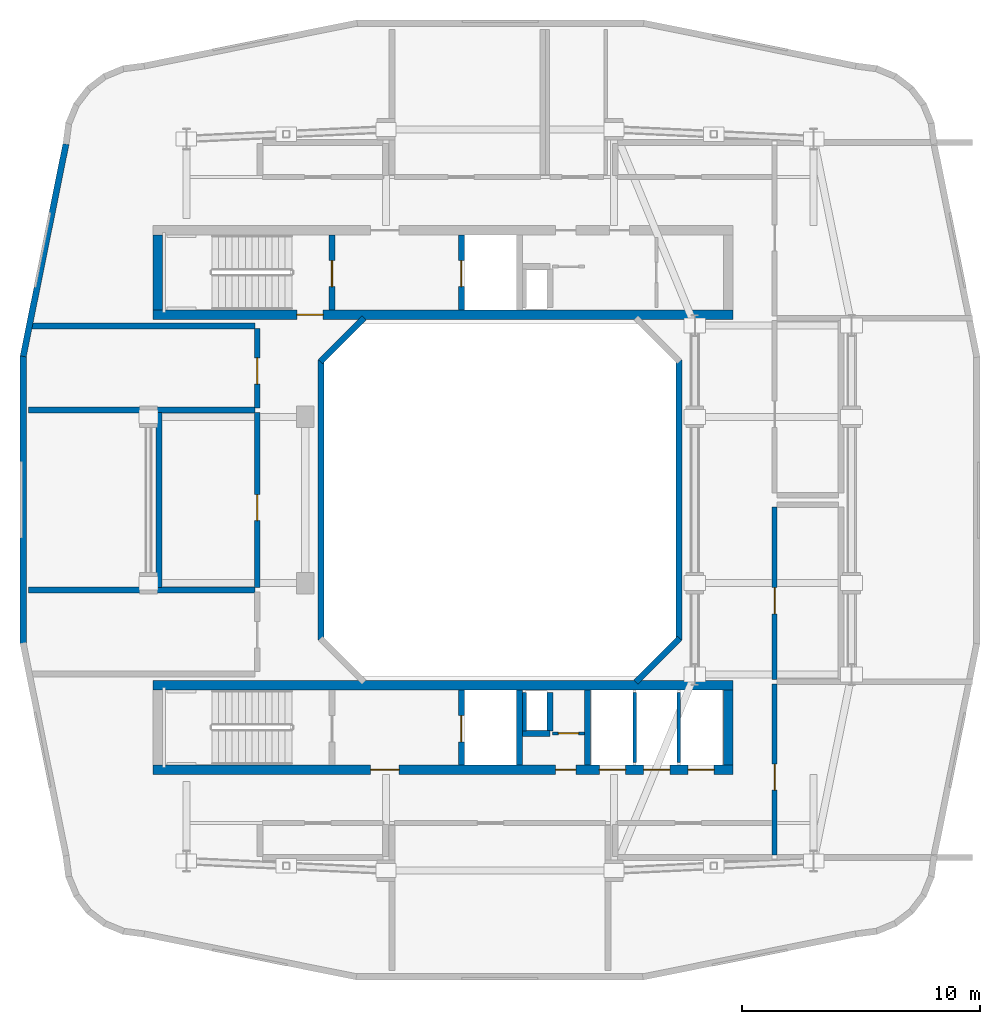
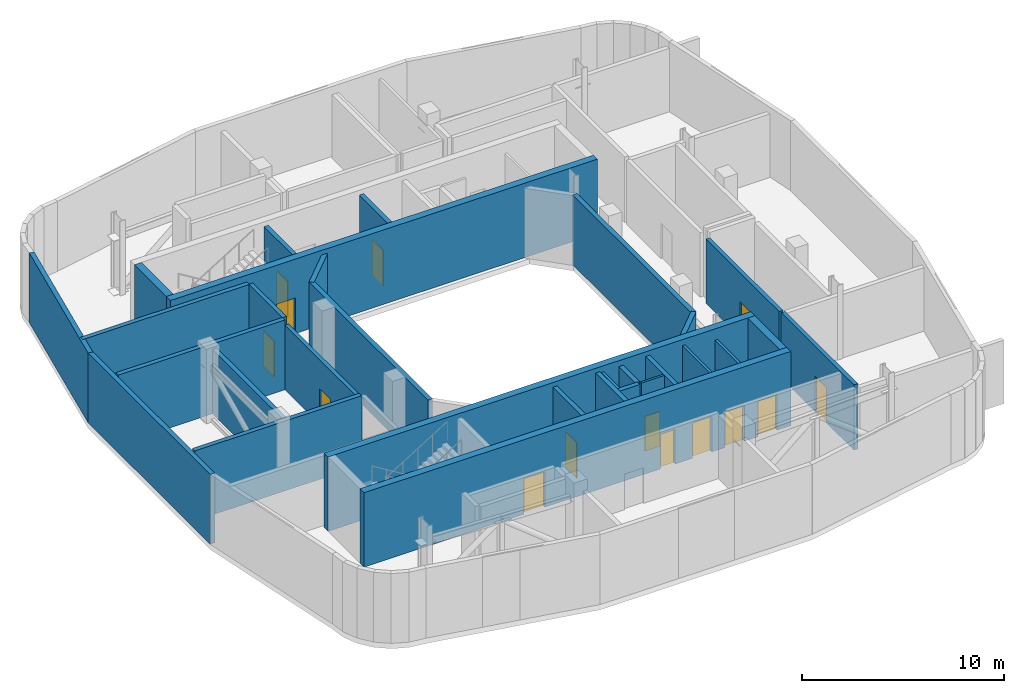
# One storey, part 4 of 9: 30 walls, 14 doors, 14 openings.
"""IFC4 building model written with IfcOpenShell, lengths in metres."""

from ifc_helpers import new_model, si_unit, derived_unit, direction, frame, frame_2d, origin, place, context, subcontext, project, spatial, rectangle, extrude, material, layer, layer_set, type_object, element, fill, save


model = new_model("IFC4")

# Units and contexts
model_context = context("Model", 3, precision=1e-05, world=origin(), true_north=direction((0.0, 1.0)))
body_context = subcontext(model_context, "Body", "Model", "MODEL_VIEW")
ifc_project = project(units=[si_unit("LENGTHUNIT", "METRE"), si_unit("AREAUNIT", "SQUARE_METRE"), si_unit("VOLUMEUNIT", "CUBIC_METRE"), si_unit("PLANEANGLEUNIT", "RADIAN"), si_unit("MASSUNIT", "GRAM", prefix="KILO"), derived_unit("THERMALTRANSMITTANCEUNIT", [(si_unit("POWERUNIT", "WATT"), 1), (si_unit("LENGTHUNIT", "METRE"), -2), (si_unit("THERMODYNAMICTEMPERATUREUNIT", "KELVIN"), -1)])], contexts=[model_context])

# Site, building, storey
site_placement = place(None, origin())
site = spatial("IfcSite", under=ifc_project, at=site_placement, CompositionType="ELEMENT")
building_placement = place(site_placement, origin())
building = spatial("IfcBuilding", under=site, at=building_placement, Name="Kivonza Crest Hotel", CompositionType="ELEMENT")
storey_placement = place(building_placement, frame((0.0, 0.0, 173.0)))
storey = spatial("IfcBuildingStorey", under=building, at=storey_placement, Name="L47", CompositionType="ELEMENT", Elevation=173.0)

# Wall, opening, door
ifc_material_1 = material(Name="Autoclaved aerated concrete blockwork", Category="masonry")
ifc_layer_1 = layer(ifc_material_1, 0.219970703125)
ifc_layer_set_1 = layer_set([ifc_layer_1], Name="Autoclaved aerated concrete blockwork")
wall_type_1 = type_object("IfcWallType", Name="WL-ACOU-220", PredefinedType="SOLIDWALL", material=ifc_layer_set_1)
wall_1_placement = place(storey_placement, frame((10.780029296875, 21.320068359375, 0.0), z_axis=(0.0, 0.0, 1.0), x_axis=(0.0, 1.0, 0.0)))
wall_1 = element("IfcWall", 1, at=wall_1_placement, inside=storey, type_object=wall_type_1, Name="L47 interior partition WA-L47-PL-CHL-E", PredefinedType="SOLIDWALL", context=body_context, shape_type="SweptSolid", body=[
    extrude(rectangle(XDim=7.35986328125, YDim=0.219970703125, at=frame_2d((3.679931640625, 0.0))), origin(), (0.0, 0.0, 1.0), 3.89501953125),
])
opening_1_placement = place(wall_1_placement, frame((2.806884765625, 0.0, 0.0)))
opening_1 = element("IfcOpeningElement", 2, at=opening_1_placement, cuts=wall_1, Name="Opening DF-120", PredefinedType="OPENING", context=body_context, shape_type="SweptSolid", body=[
    extrude(rectangle(XDim=1.10009765625, YDim=2.14990234375, at=frame_2d((0.550048828125, 1.074951171875))), frame((0.0, 0.1201171875, 0.0), z_axis=(0.0, -1.0, 0.0), x_axis=(1.0, 0.0, 0.0)), (0.0, 0.0, 1.0), 0.239990234375),
])
ifc_material_2 = material(Name="Galvanised steel", Category="steel")
door_type_1 = type_object("IfcDoorType", Name="DR-FD120-1100", OperationType="NOTDEFINED", PredefinedType="DOOR", material=ifc_material_2)
door_1_placement = place(opening_1_placement, origin())
door_1 = element("IfcDoor", 3, at=door_1_placement, inside=storey, type_object=door_type_1, Name="L47 Chilled Water Header Plant Room door", OperationType="SINGLE_SWING_LEFT", OverallHeight=2.14990234375, OverallWidth=1.10009765625, PredefinedType="DOOR", context=body_context, shape_type="SweptSolid", body=[
    extrude(rectangle(XDim=1.10009765625, YDim=2.14990234375, at=frame_2d((0.550048828125, 1.074951171875))), frame((0.0, 0.02490234375, 0.0), z_axis=(0.0, -1.0, 0.0), x_axis=(1.0, 0.0, 0.0)), (0.0, 0.0, 1.0), 0.050048828125),
])
fill(opening_1, door_1)

wall_2_placement = place(storey_placement, frame((10.780029296875, 28.8798828125, 0.0), z_axis=(0.0, 0.0, 1.0), x_axis=(0.0, 1.0, 0.0)))
wall_2 = element("IfcWall", 4, at=wall_2_placement, inside=storey, type_object=wall_type_1, Name="L47 interior partition WA-L47-PL-AHU-E", PredefinedType="SOLIDWALL", context=body_context, shape_type="SweptSolid", body=[
    extrude(rectangle(XDim=3.340087890625, YDim=0.219970703125, at=frame_2d((1.669921875, 0.0))), origin(), (0.0, 0.0, 1.0), 4.219970703125),
])
opening_2_placement = place(wall_2_placement, frame((0.998046875, 0.0, 0.0)))
opening_2 = element("IfcOpeningElement", 5, at=opening_2_placement, cuts=wall_2, Name="Opening DF-120", PredefinedType="OPENING", context=body_context, shape_type="SweptSolid", body=[
    extrude(rectangle(XDim=1.10009765625, YDim=2.14990234375, at=frame_2d((0.550048828125, 1.074951171875))), frame((0.0, 0.1201171875, 0.0), z_axis=(0.0, -1.0, 0.0), x_axis=(1.0, 0.0, 0.0)), (0.0, 0.0, 1.0), 0.239990234375),
])
door_2_placement = place(opening_2_placement, origin())
door_2 = element("IfcDoor", 6, at=door_2_placement, inside=storey, type_object=door_type_1, Name="L47 AHU Air Handling Plant Room door", OperationType="SINGLE_SWING_RIGHT", OverallHeight=2.14990234375, OverallWidth=1.10009765625, PredefinedType="DOOR", context=body_context, shape_type="SweptSolid", body=[
    extrude(rectangle(XDim=1.10009765625, YDim=2.14990234375, at=frame_2d((0.550048828125, 1.074951171875))), frame((0.0, 0.02490234375, 0.0), z_axis=(0.0, -1.0, 0.0), x_axis=(1.0, 0.0, 0.0)), (0.0, 0.0, 1.0), 0.050048828125),
])
fill(opening_2, door_2)

wall_3_placement = place(storey_placement, frame((32.56005859375, 17.449951171875, 0.0), z_axis=(0.0, 0.0, 1.0), x_axis=(0.0, 1.0, 0.0)))
wall_3 = element("IfcWall", 7, at=wall_3_placement, inside=storey, type_object=wall_type_1, Name="L47 interior partition WA-L47-PL-HEX-W", PredefinedType="SOLIDWALL", context=body_context, shape_type="SweptSolid", body=[
    extrude(rectangle(XDim=7.25, YDim=0.219970703125, at=frame_2d((3.625, 0.0))), origin(), (0.0, 0.0, 1.0), 3.89501953125),
])
opening_3_placement = place(wall_3_placement, frame((2.757080078125, 0.0, 0.0)))
opening_3 = element("IfcOpeningElement", 8, at=opening_3_placement, cuts=wall_3, Name="Opening DF-120", PredefinedType="OPENING", context=body_context, shape_type="SweptSolid", body=[
    extrude(rectangle(XDim=1.10009765625, YDim=2.14990234375, at=frame_2d((0.550048828125, 1.074951171875))), frame((0.0, 0.1201171875, 0.0), z_axis=(0.0, -1.0, 0.0), x_axis=(1.0, 0.0, 0.0)), (0.0, 0.0, 1.0), 0.239990234375),
])
door_3_placement = place(opening_3_placement, frame((1.10009765625, 0.0, 0.0), z_axis=(0.0, 0.0, 1.0), x_axis=(-1.0, 0.0, 0.0)))
door_3 = element("IfcDoor", 9, at=door_3_placement, inside=storey, type_object=door_type_1, Name="L47 Plate Heat Exchanger Plant Room door", OperationType="SINGLE_SWING_LEFT", OverallHeight=2.14990234375, OverallWidth=1.10009765625, PredefinedType="DOOR", context=body_context, shape_type="SweptSolid", body=[
    extrude(rectangle(XDim=1.10009765625, YDim=2.14990234375, at=frame_2d((0.550048828125, 1.074951171875))), frame((0.0, 0.02490234375, 0.0), z_axis=(0.0, -1.0, 0.0), x_axis=(1.0, 0.0, 0.0)), (0.0, 0.0, 1.0), 0.050048828125),
])
fill(opening_3, door_3)

wall_4_placement = place(storey_placement, frame((32.56005859375, 10.050048828125, 0.0), z_axis=(0.0, 0.0, 1.0), x_axis=(0.0, 1.0, 0.0)))
wall_4 = element("IfcWall", 10, at=wall_4_placement, inside=storey, type_object=wall_type_1, Name="L47 interior partition WA-L47-PL-ESTS-W", PredefinedType="SOLIDWALL", context=body_context, shape_type="SweptSolid", body=[
    extrude(rectangle(XDim=7.199951171875, YDim=0.219970703125, at=frame_2d((3.60009765625, 0.0))), origin(), (0.0, 0.0, 1.0), 3.955078125),
])
opening_4_placement = place(wall_4_placement, frame((2.735107421875, 0.0, 0.0)))
opening_4 = element("IfcOpeningElement", 11, at=opening_4_placement, cuts=wall_4, Name="Opening DF-120", PredefinedType="OPENING", context=body_context, shape_type="SweptSolid", body=[
    extrude(rectangle(XDim=1.10009765625, YDim=2.14990234375, at=frame_2d((0.550048828125, 1.074951171875))), frame((0.0, 0.1201171875, 0.0), z_axis=(0.0, -1.0, 0.0), x_axis=(1.0, 0.0, 0.0)), (0.0, 0.0, 1.0), 0.239990234375),
])
door_4_placement = place(opening_4_placement, frame((1.10009765625, 0.0, 0.0), z_axis=(0.0, 0.0, 1.0), x_axis=(-1.0, 0.0, 0.0)))
door_4 = element("IfcDoor", 12, at=door_4_placement, inside=storey, type_object=door_type_1, Name="L47 South-East Portal Damper Plant Room door", OperationType="SINGLE_SWING_LEFT", OverallHeight=2.14990234375, OverallWidth=1.10009765625, PredefinedType="DOOR", context=body_context, shape_type="SweptSolid", body=[
    extrude(rectangle(XDim=1.10009765625, YDim=2.14990234375, at=frame_2d((0.550048828125, 1.074951171875))), frame((0.0, 0.02490234375, 0.0), z_axis=(0.0, -1.0, 0.0), x_axis=(1.0, 0.0, 0.0)), (0.0, 0.0, 1.0), 0.050048828125),
])
fill(opening_4, door_4)

ifc_material_3 = material(Name="Concrete C50/60", Category="concrete")
ifc_layer_2 = layer(ifc_material_3, 0.39990234375)
ifc_layer_set_2 = layer_set([ifc_layer_2], Name="Concrete C50/60")
wall_type_2 = type_object("IfcWallType", Name="WL-CORE-400", PredefinedType="SHEAR", material=ifc_layer_set_2)
wall_5_placement = place(storey_placement, frame((6.39990234375, 32.800048828125, 0.0), z_axis=(0.0, 0.0, 1.0), x_axis=(1.0, 0.0, 0.0)))
wall_5 = element("IfcWall", 13, at=wall_5_placement, inside=storey, type_object=wall_type_2, Name="Core wall T1-N South L47", PredefinedType="SHEAR", context=body_context, shape_type="SweptSolid", body=[
    extrude(rectangle(XDim=24.400146484375, YDim=0.39990234375, at=frame_2d((12.2001953125, 0.0))), origin(), (0.0, 0.0, 1.0), 4.5),
])
opening_5_placement = place(wall_5_placement, frame((6.050048828125, 0.0, 0.0)))
opening_5 = element("IfcOpeningElement", 14, at=opening_5_placement, cuts=wall_5, Name="Opening DF-120", PredefinedType="OPENING", context=body_context, shape_type="SweptSolid", body=[
    extrude(rectangle(XDim=1.10009765625, YDim=2.14990234375, at=frame_2d((0.550048828125, 1.074951171875))), frame((0.0, 0.2099609375, 0.0), z_axis=(0.0, -1.0, 0.0), x_axis=(1.0, 0.0, 0.0)), (0.0, 0.0, 1.0), 0.419921875),
])
door_5_placement = place(opening_5_placement, origin())
door_5 = element("IfcDoor", 15, at=door_5_placement, inside=storey, type_object=door_type_1, Name="L47 West plant corridor stair fire door", OperationType="SINGLE_SWING_LEFT", OverallHeight=2.14990234375, OverallWidth=1.10009765625, PredefinedType="DOOR", context=body_context, shape_type="SweptSolid", body=[
    extrude(rectangle(XDim=1.10009765625, YDim=2.14990234375, at=frame_2d((0.550048828125, 1.074951171875))), frame((0.0, 0.02490234375, 0.0), z_axis=(0.0, -1.0, 0.0), x_axis=(1.0, 0.0, 0.0)), (0.0, 0.0, 1.0), 0.050048828125),
])
fill(opening_5, door_5)

# Wall
wall_6_placement = place(storey_placement, frame((6.60009765625, 33.0, 0.0), z_axis=(0.0, 0.0, 1.0), x_axis=(0.0, 1.0, 0.0)))
element("IfcWall", 16, at=wall_6_placement, inside=storey, type_object=wall_type_2, Name="Core wall T1-N West L47", PredefinedType="SHEAR", context=body_context, shape_type="SweptSolid", body=[
    extrude(rectangle(XDim=3.159912109375, YDim=0.39990234375, at=frame_2d((1.580078125, 0.0))), origin(), (0.0, 0.0, 1.0), 4.5),
])

# Wall, openings, doors
wall_7_placement = place(storey_placement, frame((6.39990234375, 13.639892578125, 0.0), z_axis=(0.0, 0.0, 1.0), x_axis=(1.0, 0.0, 0.0)))
wall_7 = element("IfcWall", 17, at=wall_7_placement, inside=storey, type_object=wall_type_2, Name="Core wall T1-S South L47", PredefinedType="SHEAR", context=body_context, shape_type="SweptSolid", body=[
    extrude(rectangle(XDim=24.400146484375, YDim=0.39990234375, at=frame_2d((12.2001953125, 0.0))), origin(), (0.0, 0.0, 1.0), 4.5),
])
opening_6_placement = place(wall_7_placement, frame((9.14990234375, 0.0, 0.0)))
opening_6 = element("IfcOpeningElement", 18, at=opening_6_placement, cuts=wall_7, Name="Opening DF-60", PredefinedType="OPENING", context=body_context, shape_type="SweptSolid", body=[
    extrude(rectangle(XDim=1.199951171875, YDim=2.14990234375, at=frame_2d((0.60009765625, 1.074951171875))), frame((0.0, 0.2099609375, 0.0), z_axis=(0.0, -1.0, 0.0), x_axis=(1.0, 0.0, 0.0)), (0.0, 0.0, 1.0), 0.419921875),
])
opening_7_placement = place(wall_7_placement, frame((16.93994140625, 0.0, 0.0)))
opening_7 = element("IfcOpeningElement", 19, at=opening_7_placement, cuts=wall_7, Name="Opening DF-60R", PredefinedType="OPENING", context=body_context, shape_type="SweptSolid", body=[
    extrude(rectangle(XDim=0.85009765625, YDim=2.10009765625, at=frame_2d((0.425048828125, 1.050048828125))), frame((0.0, 0.2099609375, 0.0), z_axis=(0.0, -1.0, 0.0), x_axis=(1.0, 0.0, 0.0)), (0.0, 0.0, 1.0), 0.419921875),
])
opening_8_placement = place(wall_7_placement, frame((18.782958984375, 0.0, 0.0)))
opening_8 = element("IfcOpeningElement", 20, at=opening_8_placement, cuts=wall_7, Name="Opening LD-120", PredefinedType="OPENING", context=body_context, shape_type="SweptSolid", body=[
    extrude(rectangle(XDim=1.10009765625, YDim=2.14990234375, at=frame_2d((0.550048828125, 1.074951171875))), frame((0.0, 0.2099609375, 0.0), z_axis=(0.0, -1.0, 0.0), x_axis=(1.0, 0.0, 0.0)), (0.0, 0.0, 1.0), 0.419921875),
])
opening_9_placement = place(wall_7_placement, frame((20.64990234375, 0.0, 0.0)))
opening_9 = element("IfcOpeningElement", 21, at=opening_9_placement, cuts=wall_7, Name="Opening LD-120", PredefinedType="OPENING", context=body_context, shape_type="SweptSolid", body=[
    extrude(rectangle(XDim=1.10009765625, YDim=2.14990234375, at=frame_2d((0.550048828125, 1.074951171875))), frame((0.0, 0.2099609375, 0.0), z_axis=(0.0, -1.0, 0.0), x_axis=(1.0, 0.0, 0.0)), (0.0, 0.0, 1.0), 0.419921875),
])
opening_10_placement = place(wall_7_placement, frame((22.51708984375, 0.0, 0.0)))
opening_10 = element("IfcOpeningElement", 22, at=opening_10_placement, cuts=wall_7, Name="Opening LD-120", PredefinedType="OPENING", context=body_context, shape_type="SweptSolid", body=[
    extrude(rectangle(XDim=1.10009765625, YDim=2.14990234375, at=frame_2d((0.550048828125, 1.074951171875))), frame((0.0, 0.2099609375, 0.0), z_axis=(0.0, -1.0, 0.0), x_axis=(1.0, 0.0, 0.0)), (0.0, 0.0, 1.0), 0.419921875),
])
ifc_material_4 = material(Name="Hardwood timber oak", Category="wood")
door_type_2 = type_object("IfcDoorType", Name="DR-FD60-1200", OperationType="NOTDEFINED", PredefinedType="DOOR", material=ifc_material_4)
door_6_placement = place(opening_6_placement, frame((1.199951171875, 0.0, 0.0), z_axis=(0.0, 0.0, 1.0), x_axis=(-1.0, 0.0, 0.0)))
door_6 = element("IfcDoor", 23, at=door_6_placement, inside=storey, type_object=door_type_2, Name="L47 T1-S firefighting lobby fire door", OperationType="SINGLE_SWING_LEFT", OverallHeight=2.14990234375, OverallWidth=1.199951171875, PredefinedType="DOOR", context=body_context, shape_type="SweptSolid", body=[
    extrude(rectangle(XDim=1.199951171875, YDim=2.14990234375, at=frame_2d((0.60009765625, 1.074951171875))), frame((0.0, 0.02490234375, 0.0), z_axis=(0.0, -1.0, 0.0), x_axis=(1.0, 0.0, 0.0)), (0.0, 0.0, 1.0), 0.050048828125),
])
fill(opening_6, door_6)
door_type_3 = type_object("IfcDoorType", Name="DR-FD60-850", OperationType="NOTDEFINED", PredefinedType="DOOR", material=ifc_material_4)
door_7_placement = place(opening_7_placement, frame((0.85009765625, 0.0, 0.0), z_axis=(0.0, 0.0, 1.0), x_axis=(-1.0, 0.0, 0.0)))
door_7 = element("IfcDoor", 24, at=door_7_placement, inside=storey, type_object=door_type_3, Name="L47 T1-S core room door", OperationType="SINGLE_SWING_RIGHT", OverallHeight=2.10009765625, OverallWidth=0.85009765625, PredefinedType="DOOR", context=body_context, shape_type="SweptSolid", body=[
    extrude(rectangle(XDim=0.85009765625, YDim=2.10009765625, at=frame_2d((0.425048828125, 1.050048828125))), frame((0.0, 0.02490234375, 0.0), z_axis=(0.0, -1.0, 0.0), x_axis=(1.0, 0.0, 0.0)), (0.0, 0.0, 1.0), 0.050048828125),
])
fill(opening_7, door_7)
ifc_material_5 = material(Name="Stainless steel", Category="steel")
door_type_4 = type_object("IfcDoorType", Name="DR-LD120-1100", OperationType="NOTDEFINED", PredefinedType="DOOR", material=ifc_material_5)
door_8_placement = place(opening_8_placement, frame((1.10009765625, 0.0, 0.0), z_axis=(0.0, 0.0, 1.0), x_axis=(-1.0, 0.0, 0.0)))
door_8 = element("IfcDoor", 25, at=door_8_placement, inside=storey, type_object=door_type_4, Name="L47 PL-T1-H1 passenger lift sliding landing door", OperationType="DOUBLE_DOOR_SLIDING", OverallHeight=2.14990234375, OverallWidth=1.10009765625, PredefinedType="DOOR", context=body_context, shape_type="SweptSolid", body=[
    extrude(rectangle(XDim=1.10009765625, YDim=2.14990234375, at=frame_2d((0.550048828125, 1.074951171875))), frame((0.0, 0.02490234375, 0.0), z_axis=(0.0, -1.0, 0.0), x_axis=(1.0, 0.0, 0.0)), (0.0, 0.0, 1.0), 0.050048828125),
])
fill(opening_8, door_8)
door_9_placement = place(opening_9_placement, frame((1.10009765625, 0.0, 0.0), z_axis=(0.0, 0.0, 1.0), x_axis=(-1.0, 0.0, 0.0)))
door_9 = element("IfcDoor", 26, at=door_9_placement, inside=storey, type_object=door_type_4, Name="L47 PL-T1-H2 passenger lift sliding landing door", OperationType="DOUBLE_DOOR_SLIDING", OverallHeight=2.14990234375, OverallWidth=1.10009765625, PredefinedType="DOOR", context=body_context, shape_type="SweptSolid", body=[
    extrude(rectangle(XDim=1.10009765625, YDim=2.14990234375, at=frame_2d((0.550048828125, 1.074951171875))), frame((0.0, 0.02490234375, 0.0), z_axis=(0.0, -1.0, 0.0), x_axis=(1.0, 0.0, 0.0)), (0.0, 0.0, 1.0), 0.050048828125),
])
fill(opening_9, door_9)
door_10_placement = place(opening_10_placement, frame((1.10009765625, 0.0, 0.0), z_axis=(0.0, 0.0, 1.0), x_axis=(-1.0, 0.0, 0.0)))
door_10 = element("IfcDoor", 27, at=door_10_placement, inside=storey, type_object=door_type_4, Name="L47 PL-T1-H3 passenger lift sliding landing door", OperationType="DOUBLE_DOOR_SLIDING", OverallHeight=2.14990234375, OverallWidth=1.10009765625, PredefinedType="DOOR", context=body_context, shape_type="SweptSolid", body=[
    extrude(rectangle(XDim=1.10009765625, YDim=2.14990234375, at=frame_2d((0.550048828125, 1.074951171875))), frame((0.0, 0.02490234375, 0.0), z_axis=(0.0, -1.0, 0.0), x_axis=(1.0, 0.0, 0.0)), (0.0, 0.0, 1.0), 0.050048828125),
])
fill(opening_10, door_10)

# Walls
wall_8_placement = place(storey_placement, frame((6.39990234375, 17.199951171875, 0.0), z_axis=(0.0, 0.0, 1.0), x_axis=(1.0, 0.0, 0.0)))
element("IfcWall", 28, at=wall_8_placement, inside=storey, type_object=wall_type_2, Name="Core wall T1-S North L47", PredefinedType="SHEAR", context=body_context, shape_type="SweptSolid", body=[
    extrude(rectangle(XDim=24.400146484375, YDim=0.39990234375, at=frame_2d((12.2001953125, 0.0))), origin(), (0.0, 0.0, 1.0), 4.5),
])
wall_9_placement = place(storey_placement, frame((30.60009765625, 13.840087890625, 0.0), z_axis=(0.0, 0.0, 1.0), x_axis=(0.0, 1.0, 0.0)))
element("IfcWall", 29, at=wall_9_placement, inside=storey, type_object=wall_type_2, Name="Core wall T1-S East L47", PredefinedType="SHEAR", context=body_context, shape_type="SweptSolid", body=[
    extrude(rectangle(XDim=3.159912109375, YDim=0.39990234375, at=frame_2d((1.580078125, 0.0))), origin(), (0.0, 0.0, 1.0), 4.5),
])
ifc_material_6 = material(Name="Precast concrete C40/50", Category="concrete")
ifc_layer_3 = layer(ifc_material_6, 0.260009765625)
ifc_layer_set_3 = layer_set([ifc_layer_3], Name="Precast concrete C40/50")
wall_type_3 = type_object("IfcWallType", Name="WL-EXT-260", PredefinedType="STANDARD", material=ifc_layer_set_3)
wall_10_placement = place(storey_placement, frame((2.72900390625, 39.98193359375, 0.0), z_axis=(0.0, 0.0, 1.0), x_axis=(-0.197429077186, -0.980317172899, 0.0)))
element("IfcWall", 30, at=wall_10_placement, inside=storey, type_object=wall_type_3, Name="L47 T1 exterior insulated wall 34", PredefinedType="STANDARD", context=body_context, shape_type="SweptSolid", body=[
    extrude(rectangle(XDim=9.117431640625, YDim=0.260009765625, at=frame_2d((4.55859375, 0.0))), origin(), (0.0, 0.0, 1.0), 4.219970703125),
])
wall_11_placement = place(storey_placement, frame((0.929931640625, 31.0849609375, 0.0), z_axis=(0.0, 0.0, 1.0), x_axis=(0.0, -1.0, 0.0)))
element("IfcWall", 31, at=wall_11_placement, inside=storey, type_object=wall_type_3, Name="L47 T1 exterior insulated wall 35", PredefinedType="STANDARD", context=body_context, shape_type="SweptSolid", body=[
    extrude(rectangle(XDim=12.135009765625, YDim=0.260009765625, at=frame_2d((6.0673828125, 0.0))), origin(), (0.0, 0.0, 1.0), 4.219970703125),
])
wall_12_placement = place(storey_placement, frame((26.721923828125, 17.337890625, 0.0), z_axis=(0.0, 0.0, 1.0), x_axis=(0.707059717605, 0.707153841636, 0.0)))
element("IfcWall", 32, at=wall_12_placement, inside=storey, type_object=wall_type_3, Name="L47 T1 light-well exterior wall 2", PredefinedType="STANDARD", context=body_context, shape_type="SweptSolid", body=[
    extrude(rectangle(XDim=2.59375, YDim=0.260009765625, at=frame_2d((1.296875, 0.0))), origin(), (0.0, 0.0, 1.0), 4.219970703125),
])
wall_13_placement = place(storey_placement, frame((28.530029296875, 19.110107421875, 0.0), z_axis=(0.0, 0.0, 1.0), x_axis=(0.0, 1.0, 0.0)))
element("IfcWall", 33, at=wall_13_placement, inside=storey, type_object=wall_type_3, Name="L47 T1 light-well exterior wall 3", PredefinedType="STANDARD", context=body_context, shape_type="SweptSolid", body=[
    extrude(rectangle(XDim=11.77978515625, YDim=0.260009765625, at=frame_2d((5.889892578125, 0.0))), origin(), (0.0, 0.0, 1.0), 4.219970703125),
])
wall_14_placement = place(storey_placement, frame((15.278076171875, 32.662109375, 0.0), z_axis=(0.0, 0.0, 1.0), x_axis=(-0.707059717605, -0.707153841636, 0.0)))
element("IfcWall", 34, at=wall_14_placement, inside=storey, type_object=wall_type_3, Name="L47 T1 light-well exterior wall 6", PredefinedType="STANDARD", context=body_context, shape_type="SweptSolid", body=[
    extrude(rectangle(XDim=2.59375, YDim=0.260009765625, at=frame_2d((1.296875, 0.0))), origin(), (0.0, 0.0, 1.0), 4.219970703125),
])
wall_15_placement = place(storey_placement, frame((13.469970703125, 30.889892578125, 0.0), z_axis=(0.0, 0.0, 1.0), x_axis=(0.0, -1.0, 0.0)))
element("IfcWall", 35, at=wall_15_placement, inside=storey, type_object=wall_type_3, Name="L47 T1 light-well exterior wall 7", PredefinedType="STANDARD", context=body_context, shape_type="SweptSolid", body=[
    extrude(rectangle(XDim=11.77978515625, YDim=0.260009765625, at=frame_2d((5.889892578125, 0.0))), origin(), (0.0, 0.0, 1.0), 4.219970703125),
])
ifc_material_7 = material(Name="Concrete blockwork fire-compartment wall", Category="masonry")
ifc_layer_4 = layer(ifc_material_7, 0.25)
ifc_layer_set_4 = layer_set([ifc_layer_4], Name="Concrete blockwork fire-compartment wall")
wall_type_4 = type_object("IfcWallType", Name="WL-FIRE-250", PredefinedType="SOLIDWALL", material=ifc_layer_set_4)
wall_16_placement = place(storey_placement, frame((23.10009765625, 15.280029296875, 0.0), z_axis=(0.0, 0.0, 1.0), x_axis=(0.0, 1.0, 0.0)))
element("IfcWall", 36, at=wall_16_placement, inside=storey, type_object=wall_type_4, Name="L47 interior partition WA-L47-T1-S-MEPR-E", PredefinedType="SOLIDWALL", context=body_context, shape_type="SweptSolid", body=[
    extrude(rectangle(XDim=1.619873046875, YDim=0.25, at=frame_2d((0.81005859375, 0.0))), origin(), (0.0, 0.0, 1.0), 4.219970703125),
])
wall_17_placement = place(storey_placement, frame((21.949951171875, 15.179931640625, 0.0), z_axis=(0.0, 0.0, 1.0), x_axis=(1.0, 0.0, 0.0)))
element("IfcWall", 37, at=wall_17_placement, inside=storey, type_object=wall_type_4, Name="L47 interior partition WA-L47-T1-S-MEPR-H", PredefinedType="SOLIDWALL", context=body_context, shape_type="SweptSolid", body=[
    extrude(rectangle(XDim=1.150146484375, YDim=0.25, at=frame_2d((0.5751953125, 0.0))), origin(), (0.0, 0.0, 1.0), 4.219970703125),
])
wall_18_placement = place(storey_placement, frame((1.14990234375, 21.219970703125, 0.0), z_axis=(0.0, 0.0, 1.0), x_axis=(1.0, 0.0, 0.0)))
element("IfcWall", 38, at=wall_18_placement, inside=storey, type_object=wall_type_4, Name="L47 interior partition WP-L47-PL-TNK-BN", PredefinedType="SOLIDWALL", context=body_context, shape_type="SweptSolid", body=[
    extrude(rectangle(XDim=9.530029296875, YDim=0.25, at=frame_2d((4.76513671875, 0.0))), origin(), (0.0, 0.0, 1.0), 4.219970703125),
])
wall_19_placement = place(storey_placement, frame((6.64990234375, 21.320068359375, 0.0), z_axis=(0.0, 0.0, 1.0), x_axis=(0.0, 1.0, 0.0)))
element("IfcWall", 39, at=wall_19_placement, inside=storey, type_object=wall_type_4, Name="L47 interior partition WP-L47-PL-CHL-BW", PredefinedType="SOLIDWALL", context=body_context, shape_type="SweptSolid", body=[
    extrude(rectangle(XDim=7.35986328125, YDim=0.25, at=frame_2d((3.679931640625, 0.0))), origin(), (0.0, 0.0, 1.0), 3.89501953125),
])
for number, where, z_axis, x_axis, name in (
    (40, (1.14990234375, 28.780029296875, 0.0), (0.0, 0.0, 1.0), (1.0, 0.0, 0.0), "L47 interior partition WP-L47-PL-AHU-BS"),
    (41, (1.14990234375, 32.320068359375, 0.0), (0.0, 0.0, 1.0), (1.0, 0.0, 0.0), "L47 interior partition WP-L47-PL-AHU-BN"),
):
    element("IfcWall", number, at=place(storey_placement, frame(where, z_axis=z_axis, x_axis=x_axis)), inside=storey, type_object=wall_type_4, Name=name, PredefinedType="SOLIDWALL", context=body_context, shape_type="SweptSolid", body=[
        extrude(rectangle(XDim=9.530029296875, YDim=0.25, at=frame_2d((4.76513671875, 0.0))), origin(), (0.0, 0.0, 1.0), 4.219970703125),
    ])

# Wall, opening, door
ifc_material_8 = material(Name="Metal-stud gypsum board partition", Category="gypsum")
ifc_layer_5 = layer(ifc_material_8, 0.125)
ifc_layer_set_5 = layer_set([ifc_layer_5], Name="Metal-stud gypsum board partition")
wall_type_5 = type_object("IfcWallType", Name="WL-PART-125", PredefinedType="PARTITIONING", material=ifc_layer_set_5)
wall_20_placement = place(storey_placement, frame((23.219970703125, 15.179931640625, 0.0), z_axis=(0.0, 0.0, 1.0), x_axis=(1.0, 0.0, 0.0)))
wall_20 = element("IfcWall", 42, at=wall_20_placement, inside=storey, type_object=wall_type_5, Name="L47 interior partition WP-L47-T1-S-SV3H", PredefinedType="PARTITIONING", context=body_context, shape_type="SweptSolid", body=[
    extrude(rectangle(XDim=1.330078125, YDim=0.125, at=frame_2d((0.6650390625, 0.0))), origin(), (0.0, 0.0, 1.0), 4.219970703125),
])
opening_11_placement = place(wall_20_placement, frame((0.239990234375, 0.0, 0.0)))
opening_11 = element("IfcOpeningElement", 43, at=opening_11_placement, cuts=wall_20, Name="Opening DI-85", PredefinedType="OPENING", context=body_context, shape_type="SweptSolid", body=[
    extrude(rectangle(XDim=0.85009765625, YDim=2.10009765625, at=frame_2d((0.425048828125, 1.050048828125))), frame((0.0, 0.072509765625, 0.0), z_axis=(0.0, -1.0, 0.0), x_axis=(1.0, 0.0, 0.0)), (0.0, 0.0, 1.0), 0.14501953125),
])
door_type_5 = type_object("IfcDoorType", Name="DR-INT-850", OperationType="NOTDEFINED", PredefinedType="DOOR", material=ifc_material_4)
door_11_placement = place(opening_11_placement, origin())
door_11 = element("IfcDoor", 44, at=door_11_placement, inside=storey, type_object=door_type_5, Name="L47 T1-S inner manifold door", OperationType="SINGLE_SWING_LEFT", OverallHeight=2.10009765625, OverallWidth=0.85009765625, PredefinedType="DOOR", context=body_context, shape_type="SweptSolid", body=[
    extrude(rectangle(XDim=0.85009765625, YDim=2.10009765625, at=frame_2d((0.425048828125, 1.050048828125))), frame((0.0, 0.02490234375, 0.0), z_axis=(0.0, -1.0, 0.0), x_axis=(1.0, 0.0, 0.0)), (0.0, 0.0, 1.0), 0.050048828125),
])
fill(opening_11, door_11)

# Walls
ifc_material_9 = material(Name="Twin-stud acoustic gypsum board partition", Category="gypsum")
ifc_layer_6 = layer(ifc_material_9, 0.14990234375)
ifc_layer_set_6 = layer_set([ifc_layer_6], Name="Twin-stud acoustic gypsum board partition")
wall_type_6 = type_object("IfcWallType", Name="WL-PART-150", PredefinedType="PARTITIONING", material=ifc_layer_set_6)
wall_21_placement = place(storey_placement, frame((22.030029296875, 15.280029296875, 0.0), z_axis=(0.0, 0.0, 1.0), x_axis=(0.0, 1.0, 0.0)))
element("IfcWall", 45, at=wall_21_placement, inside=storey, type_object=wall_type_6, Name="L47 interior partition WA-L47-T1-S-MEPR-W", PredefinedType="PARTITIONING", context=body_context, shape_type="SweptSolid", body=[
    extrude(rectangle(XDim=1.619873046875, YDim=0.14990234375, at=frame_2d((0.81005859375, 0.0))), origin(), (0.0, 0.0, 1.0), 4.219970703125),
])
wall_22_placement = place(storey_placement, frame((26.6669921875, 13.93994140625, 0.0), z_axis=(0.0, 0.0, 1.0), x_axis=(0.0, 1.0, 0.0)))
element("IfcWall", 46, at=wall_22_placement, inside=storey, type_object=wall_type_6, Name="L47 interior partition WP-L47-T1-S-BSH-1", PredefinedType="PARTITIONING", context=body_context, shape_type="SweptSolid", body=[
    extrude(rectangle(XDim=2.9599609375, YDim=0.14990234375, at=frame_2d((1.47998046875, 0.0))), origin(), (0.0, 0.0, 1.0), 4.219970703125),
])
wall_23_placement = place(storey_placement, frame((28.532958984375, 13.93994140625, 0.0), z_axis=(0.0, 0.0, 1.0), x_axis=(0.0, 1.0, 0.0)))
element("IfcWall", 47, at=wall_23_placement, inside=storey, type_object=wall_type_6, Name="L47 interior partition WP-L47-T1-S-BSH-2", PredefinedType="PARTITIONING", context=body_context, shape_type="SweptSolid", body=[
    extrude(rectangle(XDim=2.9599609375, YDim=0.14990234375, at=frame_2d((1.47998046875, 0.0))), origin(), (0.0, 0.0, 1.0), 3.89501953125),
])

# Wall, opening, door
ifc_layer_7 = layer(ifc_material_3, 0.25)
ifc_layer_set_7 = layer_set([ifc_layer_7], Name="Concrete C50/60")
wall_type_7 = type_object("IfcWallType", Name="WL-SHAFT-250", PredefinedType="STANDARD", material=ifc_layer_set_7)
wall_24_placement = place(storey_placement, frame((13.925048828125, 33.0, 0.0), z_axis=(0.0, 0.0, 1.0), x_axis=(0.0, 1.0, 0.0)))
wall_24 = element("IfcWall", 48, at=wall_24_placement, inside=storey, type_object=wall_type_7, Name="Core shaft wall T1-N STAIR L47", PredefinedType="STANDARD", context=body_context, shape_type="SweptSolid", body=[
    extrude(rectangle(XDim=3.159912109375, YDim=0.25, at=frame_2d((1.580078125, 0.0))), origin(), (0.0, 0.0, 1.0), 4.219970703125),
])
opening_12_placement = place(wall_24_placement, frame((0.97998046875, 0.0, 0.0)))
opening_12 = element("IfcOpeningElement", 49, at=opening_12_placement, cuts=wall_24, Name="Opening DF-120", PredefinedType="OPENING", context=body_context, shape_type="SweptSolid", body=[
    extrude(rectangle(XDim=1.10009765625, YDim=2.14990234375, at=frame_2d((0.550048828125, 1.074951171875))), frame((0.0, 0.135009765625, 0.0), z_axis=(0.0, -1.0, 0.0), x_axis=(1.0, 0.0, 0.0)), (0.0, 0.0, 1.0), 0.27001953125),
])
door_12_placement = place(opening_12_placement, frame((1.10009765625, 0.0, 0.0), z_axis=(0.0, 0.0, 1.0), x_axis=(-1.0, 0.0, 0.0)))
door_12 = element("IfcDoor", 50, at=door_12_placement, inside=storey, type_object=door_type_1, Name="L47 T1-N stair fire door", OperationType="SINGLE_SWING_LEFT", OverallHeight=2.14990234375, OverallWidth=1.10009765625, PredefinedType="DOOR", context=body_context, shape_type="SweptSolid", body=[
    extrude(rectangle(XDim=1.10009765625, YDim=2.14990234375, at=frame_2d((0.550048828125, 1.074951171875))), frame((0.0, 0.02490234375, 0.0), z_axis=(0.0, -1.0, 0.0), x_axis=(1.0, 0.0, 0.0)), (0.0, 0.0, 1.0), 0.050048828125),
])
fill(opening_12, door_12)

wall_25_placement = place(storey_placement, frame((19.375, 33.0, 0.0), z_axis=(0.0, 0.0, 1.0), x_axis=(0.0, 1.0, 0.0)))
wall_25 = element("IfcWall", 51, at=wall_25_placement, inside=storey, type_object=wall_type_7, Name="Core shaft wall T1-N FFL-W L47", PredefinedType="STANDARD", context=body_context, shape_type="SweptSolid", body=[
    extrude(rectangle(XDim=3.159912109375, YDim=0.25, at=frame_2d((1.580078125, 0.0))), origin(), (0.0, 0.0, 1.0), 4.219970703125),
])
opening_13_placement = place(wall_25_placement, frame((0.97998046875, 0.0, 0.0)))
opening_13 = element("IfcOpeningElement", 52, at=opening_13_placement, cuts=wall_25, Name="Opening LD-120", PredefinedType="OPENING", context=body_context, shape_type="SweptSolid", body=[
    extrude(rectangle(XDim=1.10009765625, YDim=2.14990234375, at=frame_2d((0.550048828125, 1.074951171875))), frame((0.0, 0.135009765625, 0.0), z_axis=(0.0, -1.0, 0.0), x_axis=(1.0, 0.0, 0.0)), (0.0, 0.0, 1.0), 0.27001953125),
])
door_13_placement = place(opening_13_placement, origin())
door_13 = element("IfcDoor", 53, at=door_13_placement, inside=storey, type_object=door_type_4, Name="L47 FFL-T1-N firefighting lift sliding landing door", OperationType="DOUBLE_DOOR_SLIDING", OverallHeight=2.14990234375, OverallWidth=1.10009765625, PredefinedType="DOOR", context=body_context, shape_type="SweptSolid", body=[
    extrude(rectangle(XDim=1.10009765625, YDim=2.14990234375, at=frame_2d((0.550048828125, 1.074951171875))), frame((0.0, 0.02490234375, 0.0), z_axis=(0.0, -1.0, 0.0), x_axis=(1.0, 0.0, 0.0)), (0.0, 0.0, 1.0), 0.050048828125),
])
fill(opening_13, door_13)

wall_26_placement = place(storey_placement, frame((19.375, 13.840087890625, 0.0), z_axis=(0.0, 0.0, 1.0), x_axis=(0.0, 1.0, 0.0)))
wall_26 = element("IfcWall", 54, at=wall_26_placement, inside=storey, type_object=wall_type_7, Name="Core shaft wall T1-S FFL-W L47", PredefinedType="STANDARD", context=body_context, shape_type="SweptSolid", body=[
    extrude(rectangle(XDim=3.159912109375, YDim=0.25, at=frame_2d((1.580078125, 0.0))), origin(), (0.0, 0.0, 1.0), 4.219970703125),
])
opening_14_placement = place(wall_26_placement, frame((0.97998046875, 0.0, 0.0)))
opening_14 = element("IfcOpeningElement", 55, at=opening_14_placement, cuts=wall_26, Name="Opening LD-120", PredefinedType="OPENING", context=body_context, shape_type="SweptSolid", body=[
    extrude(rectangle(XDim=1.10009765625, YDim=2.14990234375, at=frame_2d((0.550048828125, 1.074951171875))), frame((0.0, 0.135009765625, 0.0), z_axis=(0.0, -1.0, 0.0), x_axis=(1.0, 0.0, 0.0)), (0.0, 0.0, 1.0), 0.27001953125),
])
door_14_placement = place(opening_14_placement, origin())
door_14 = element("IfcDoor", 56, at=door_14_placement, inside=storey, type_object=door_type_4, Name="L47 FFL-T1-S firefighting lift sliding landing door", OperationType="DOUBLE_DOOR_SLIDING", OverallHeight=2.14990234375, OverallWidth=1.10009765625, PredefinedType="DOOR", context=body_context, shape_type="SweptSolid", body=[
    extrude(rectangle(XDim=1.10009765625, YDim=2.14990234375, at=frame_2d((0.550048828125, 1.074951171875))), frame((0.0, 0.02490234375, 0.0), z_axis=(0.0, -1.0, 0.0), x_axis=(1.0, 0.0, 0.0)), (0.0, 0.0, 1.0), 0.050048828125),
])
fill(opening_14, door_14)

# Walls
for number, where, z_axis, x_axis, name in (
    (57, (21.824951171875, 13.840087890625, 0.0), (0.0, 0.0, 1.0), (0.0, 1.0, 0.0), "Core shaft wall T1-S FFL-E L47"),
    (58, (24.675048828125, 13.840087890625, 0.0), (0.0, 0.0, 1.0), (0.0, 1.0, 0.0), "Core shaft wall T1-S BANK-W L47"),
):
    element("IfcWall", number, at=place(storey_placement, frame(where, z_axis=z_axis, x_axis=x_axis)), inside=storey, type_object=wall_type_7, Name=name, PredefinedType="STANDARD", context=body_context, shape_type="SweptSolid", body=[
        extrude(rectangle(XDim=3.159912109375, YDim=0.25, at=frame_2d((1.580078125, 0.0))), origin(), (0.0, 0.0, 1.0), 4.219970703125),
    ])

save(model, "model.ifc")
